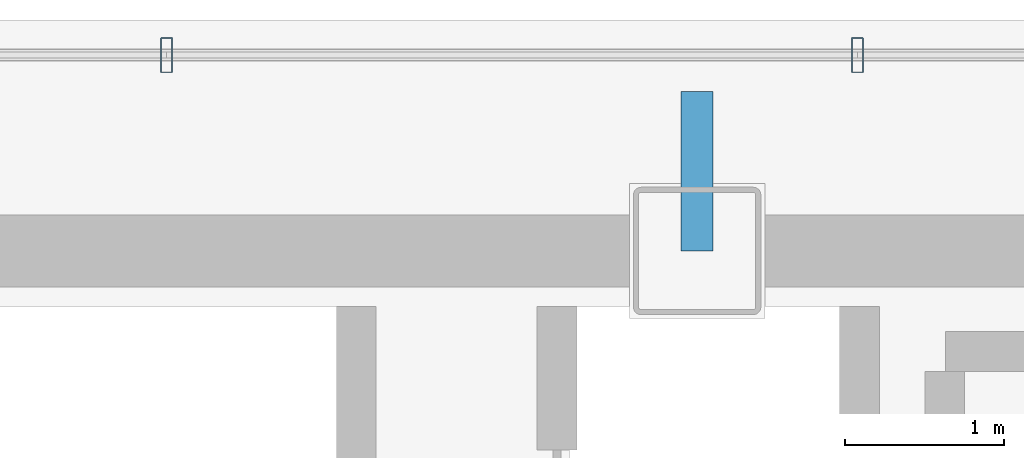
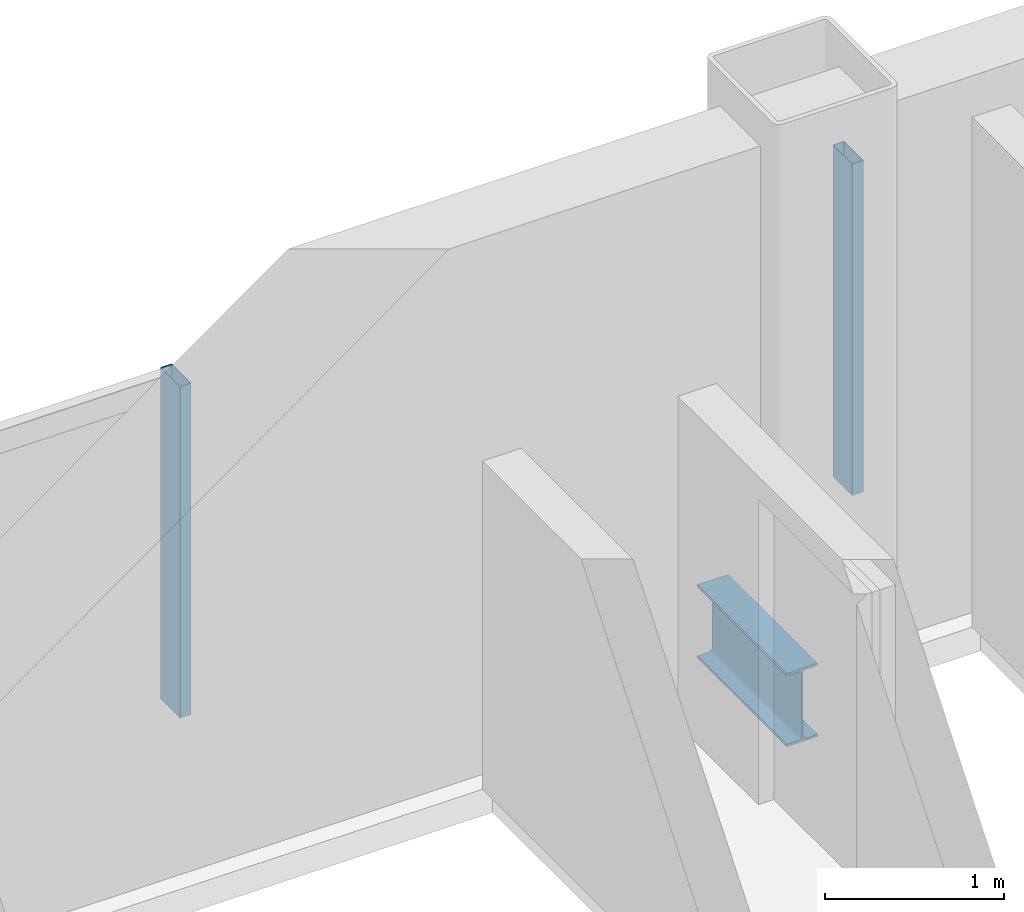
# One storey, part 9 of 17: 2 members, 1 beam, 1 element without a shape of its own.
"""IFC4 building model written with IfcOpenShell, lengths in metres."""

from ifc_helpers import new_model, si_unit, direction, frame, origin, origin_2d, place, context, subcontext, project, spatial, hollow_rectangle, i_section, extrude, material, material_profile, profile_set, type_object, element, aggregate, save


model = new_model("IFC4")

# Units and contexts
model_context = context("Model", 3, precision=1e-05, world=origin(), true_north=direction((0.0, 1.0)))
body_context = subcontext(model_context, "Body", "Model", "MODEL_VIEW")
ifc_project = project(units=[si_unit("LENGTHUNIT", "METRE"), si_unit("AREAUNIT", "SQUARE_METRE"), si_unit("VOLUMEUNIT", "CUBIC_METRE"), si_unit("PLANEANGLEUNIT", "RADIAN"), si_unit("MASSUNIT", "GRAM", prefix="KILO")], contexts=[model_context])

# Site, building, storey
site_placement = place(None, origin())
site = spatial("IfcSite", under=ifc_project, at=site_placement, CompositionType="ELEMENT")
building_placement = place(site_placement, origin())
building = spatial("IfcBuilding", under=site, at=building_placement, Name="Noeulbin Bourse Tower", CompositionType="ELEMENT")
storey_placement = place(building_placement, frame((0.0, 0.0, 226.699951171875)))
storey = spatial("IfcBuildingStorey", under=building, at=storey_placement, Name="L56", CompositionType="ELEMENT", Elevation=226.699951171875)

# Beam
ifc_material_1 = material(Name="Steel S355", Category="steel")
ifc_material_profile_1 = material_profile(ifc_material_1, i_section(OverallWidth=0.199951171875, OverallDepth=0.5, WebThickness=0.010009765625, FlangeThickness=0.01611328125, FilletRadius=0.02001953125, at=origin_2d()), Name="H-500x200x10x16", Category="LoadBearing")
ifc_profile_set_1 = profile_set([ifc_material_profile_1], Name="Steel S355")
beam_type = type_object("IfcBeamType", Name="BM-GRD-500", PredefinedType="USERDEFINED", material=ifc_profile_set_1)
beam_placement = place(storey_placement, frame((37.5, 38.300048828125, -0.429931640625), z_axis=(0.0, 1.0, 0.0), x_axis=(-1.0, 0.0, 0.0)))
element("IfcBeam", 1, at=beam_placement, inside=storey, type_object=beam_type, Name="Tower Primary Girder NS L56-4.4", ObjectType="GIRDER", PredefinedType="USERDEFINED", context=body_context, shape_type="SweptSolid", body=[
    extrude(i_section(OverallWidth=0.199951171875, OverallDepth=0.5, WebThickness=0.010009765625, FlangeThickness=0.01611328125, FilletRadius=0.02001953125, at=origin_2d()), origin(), (0.0, 0.0, 1.0), 1.0),
])

# Curtain wall, members
ifc_material_2 = material(Name="High-Selectivity Low-Iron Glazing", Category="glass")
curtain_wall_type = type_object("IfcCurtainWallType", Name="CW-SYS-4", PredefinedType="NOTDEFINED", material=ifc_material_2)
curtain_wall_placement = place(storey_placement, origin())
curtain_wall = element("IfcCurtainWall", 2, at=curtain_wall_placement, inside=storey, type_object=curtain_wall_type, Name="Unitised Curtain Wall CW-L56-N", PredefinedType="NOTDEFINED")
ifc_material_3 = material(Name="Anodised Aluminium 6063-T6", Category="aluminium")
ifc_material_profile_2 = material_profile(ifc_material_3, hollow_rectangle(XDim=0.074951171875, YDim=0.219970703125, WallThickness=0.0048828125, InnerFilletRadius=0.00244140625, OuterFilletRadius=0.0048828125, at=origin_2d()), Name="ALU-MULL-75x220x5", Category="LoadBearing")
ifc_profile_set_2 = profile_set([ifc_material_profile_2], Name="Anodised Aluminium 6063-T6")
member_type = type_object("IfcMemberType", Name="CW-SYS-4-MUL", PredefinedType="MULLION", material=ifc_profile_set_2)
member_1_placement = place(storey_placement, frame((34.1689453125, 39.530029296875, -0.02001953125), z_axis=(0.0, 0.0, 1.0), x_axis=(1.0, 0.0, 0.0)))
member_1 = element("IfcMember", 3, at=member_1_placement, type_object=member_type, Name="Curtain Wall Mullion CW-L56-N-M05", PredefinedType="MULLION", context=body_context, shape_type="SweptSolid", body=[
    extrude(hollow_rectangle(XDim=0.074951171875, YDim=0.219970703125, WallThickness=0.0048828125, InnerFilletRadius=0.00244140625, OuterFilletRadius=0.0048828125, at=origin_2d()), origin(), (0.0, 0.0, 1.0), 2.260009765625),
])
member_2_placement = place(storey_placement, frame((38.506591796875, 39.530029296875, -0.02001953125), z_axis=(0.0, 0.0, 1.0), x_axis=(1.0, 0.0, 0.0)))
member_2 = element("IfcMember", 4, at=member_2_placement, type_object=member_type, Name="Curtain Wall Mullion CW-L56-N-M06", PredefinedType="MULLION", context=body_context, shape_type="SweptSolid", body=[
    extrude(hollow_rectangle(XDim=0.074951171875, YDim=0.219970703125, WallThickness=0.0048828125, InnerFilletRadius=0.00244140625, OuterFilletRadius=0.0048828125, at=origin_2d()), origin(), (0.0, 0.0, 1.0), 2.260009765625),
])
aggregate(curtain_wall, [member_1, member_2])

save(model, "model.ifc")
